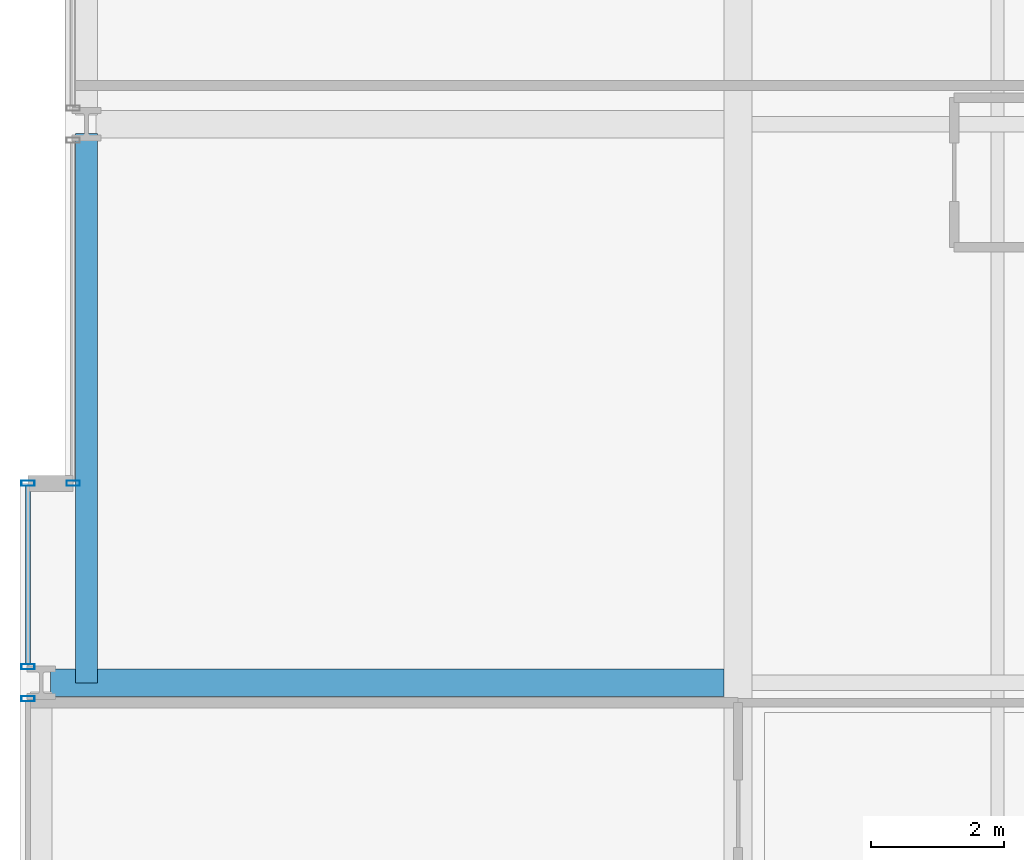
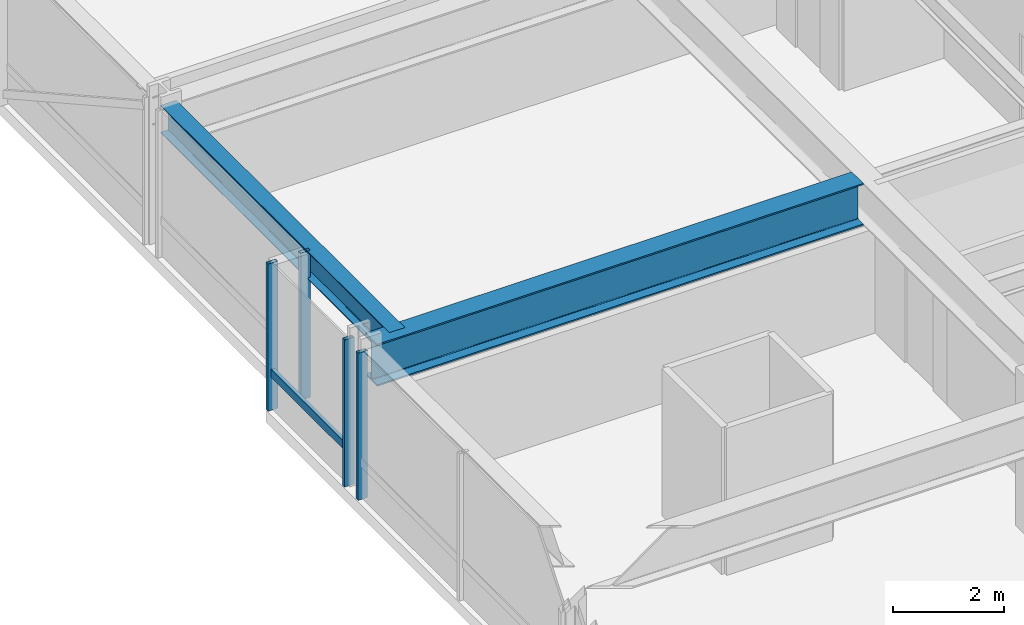
# One storey, part 7 of 38: 5 members, 2 beams, 3 elements without a shape of their own.
"""IFC4 building model written with IfcOpenShell, lengths in metres."""

from ifc_helpers import new_model, si_unit, direction, frame, origin, origin_2d, place, context, subcontext, project, spatial, hollow_rectangle, i_section, extrude, material, layer, layer_set, material_profile, profile_set, type_object, element, aggregate, save


model = new_model("IFC4")

# Units and contexts
model_context = context("Model", 3, precision=1e-05, world=origin(), true_north=direction((0.0, 1.0)))
body_context = subcontext(model_context, "Body", "Model", "MODEL_VIEW")
ifc_project = project(units=[si_unit("LENGTHUNIT", "METRE"), si_unit("AREAUNIT", "SQUARE_METRE"), si_unit("VOLUMEUNIT", "CUBIC_METRE"), si_unit("PLANEANGLEUNIT", "RADIAN"), si_unit("MASSUNIT", "GRAM", prefix="KILO")], contexts=[model_context])

# Site, building, storey
site_placement = place(None, origin())
site = spatial("IfcSite", under=ifc_project, at=site_placement, CompositionType="ELEMENT")
building_placement = place(site_placement, origin())
building = spatial("IfcBuilding", under=site, at=building_placement, Name="Drelvath Grand Hotel", CompositionType="ELEMENT")
storey_placement = place(building_placement, frame((0.0, 0.0, 50.699951171875)))
storey = spatial("IfcBuildingStorey", under=building, at=storey_placement, Name="L11", CompositionType="ELEMENT", Elevation=50.699951171875)

# Curtain wall, member
ifc_material_1 = material(Name="Warm Bronze Anodised Aluminium Frame", Category="aluminium")
ifc_layer = layer(ifc_material_1, 0.199951171875)
ifc_layer_set = layer_set([ifc_layer], Name="Warm Bronze Anodised Aluminium Frame")
curtain_wall_type = type_object("IfcCurtainWallType", Name="Stick Curtain Wall CW-02 Warm Bronze Low-Rise", PredefinedType="NOTDEFINED", material=ifc_layer_set)
curtain_wall_1_placement = place(storey_placement, origin())
curtain_wall_1 = element("IfcCurtainWall", 1, at=curtain_wall_1_placement, inside=storey, type_object=curtain_wall_type, Name="L11 CW-02 Curtain Wall CW02-L11-WS3", PredefinedType="NOTDEFINED")
ifc_material_profile_1 = material_profile(ifc_material_1, hollow_rectangle(XDim=0.074951171875, YDim=0.179931640625, WallThickness=0.0048828125, at=origin_2d()), Name="HSS180X75X5")
ifc_profile_set_1 = profile_set([ifc_material_profile_1], Name="Warm Bronze Anodised Aluminium Frame")
member_type_1 = type_object("IfcMemberType", Name="Curtain Wall Horizontal Transom CW-02 HSS180X75X5", PredefinedType="USERDEFINED", material=ifc_profile_set_1)
member_1_placement = place(storey_placement, frame((-26.8798828125, 18.880859375, 0.81005859375), z_axis=(0.0, 1.0, 0.0), x_axis=(-1.0, 0.0, 0.0)))
member_1 = element("IfcMember", 2, at=member_1_placement, type_object=member_type_1, Name="CW02-L11-WS3 Sill Transom", ObjectType="TRANSOM", PredefinedType="USERDEFINED", context=body_context, shape_type="SweptSolid", body=[
    extrude(hollow_rectangle(XDim=0.074951171875, YDim=0.179931640625, WallThickness=0.0048828125, at=origin_2d()), origin(), (0.0, 0.0, 1.0), 2.67919921875),
])

curtain_wall_2_placement = place(storey_placement, origin())
curtain_wall_2 = element("IfcCurtainWall", 3, at=curtain_wall_2_placement, inside=storey, type_object=curtain_wall_type, Name="L11 CW-02 Curtain Wall CW02-L11-WS2", PredefinedType="NOTDEFINED")
ifc_material_profile_2 = material_profile(ifc_material_1, hollow_rectangle(XDim=0.080078125, YDim=0.199951171875, WallThickness=0.0048828125, at=origin_2d()), Name="HSS200X80X5")
ifc_profile_set_2 = profile_set([ifc_material_profile_2], Name="Warm Bronze Anodised Aluminium Frame")
member_type_2 = type_object("IfcMemberType", Name="Curtain Wall Vertical Mullion CW-02 HSS200X80X5", PredefinedType="MULLION", material=ifc_profile_set_2)
member_2_placement = place(storey_placement, frame((-26.8798828125, 18.359130859375, 0.0), z_axis=(0.0, 0.0, 1.0), x_axis=(0.0, 1.0, 0.0)))
member_2 = element("IfcMember", 4, at=member_2_placement, type_object=member_type_2, Name="CW02-L11-WS2 Mullion 3", PredefinedType="MULLION", context=body_context, shape_type="SweptSolid", body=[
    extrude(hollow_rectangle(XDim=0.080078125, YDim=0.199951171875, WallThickness=0.0048828125, at=origin_2d()), origin(), (0.0, 0.0, 1.0), 3.239990234375),
])
aggregate(curtain_wall_2, [member_2])

# Member
member_3_placement = place(storey_placement, frame((-26.8798828125, 18.8408203125, 0.0), z_axis=(0.0, 0.0, 1.0), x_axis=(0.0, 1.0, 0.0)))
member_3 = element("IfcMember", 5, at=member_3_placement, type_object=member_type_2, Name="CW02-L11-WS3 Mullion 1", PredefinedType="MULLION", context=body_context, shape_type="SweptSolid", body=[
    extrude(hollow_rectangle(XDim=0.080078125, YDim=0.199951171875, WallThickness=0.0048828125, at=origin_2d()), origin(), (0.0, 0.0, 1.0), 3.239990234375),
])

member_4_placement = place(storey_placement, frame((-26.8798828125, 21.60009765625, 0.0), z_axis=(0.0, 0.0, 1.0), x_axis=(0.0, 1.0, 0.0)))
member_4 = element("IfcMember", 6, at=member_4_placement, type_object=member_type_2, Name="CW02-L11-WS3 Mullion 2", PredefinedType="MULLION", context=body_context, shape_type="SweptSolid", body=[
    extrude(hollow_rectangle(XDim=0.080078125, YDim=0.199951171875, WallThickness=0.0048828125, at=origin_2d()), origin(), (0.0, 0.0, 1.0), 3.239990234375),
])

aggregate(curtain_wall_1, [member_3, member_4, member_1])

# Curtain wall, member
curtain_wall_3_placement = place(storey_placement, origin())
curtain_wall_3 = element("IfcCurtainWall", 7, at=curtain_wall_3_placement, inside=storey, type_object=curtain_wall_type, Name="L11 CW-02 Curtain Wall CW02-L11-WM1", PredefinedType="NOTDEFINED")
member_5_placement = place(storey_placement, frame((-26.199951171875, 21.60009765625, 0.0), z_axis=(0.0, 0.0, 1.0), x_axis=(0.0, 1.0, 0.0)))
member_5 = element("IfcMember", 8, at=member_5_placement, type_object=member_type_2, Name="CW02-L11-WM1 Mullion 1", PredefinedType="MULLION", context=body_context, shape_type="SweptSolid", body=[
    extrude(hollow_rectangle(XDim=0.080078125, YDim=0.199951171875, WallThickness=0.0048828125, at=origin_2d()), origin(), (0.0, 0.0, 1.0), 3.239990234375),
])
aggregate(curtain_wall_3, [member_5])

# Beams
ifc_material_2 = material(Name="Steel ASTM A992 Gr 50", Category="steel")
ifc_material_profile_3 = material_profile(ifc_material_2, i_section(OverallWidth=0.323974609375, OverallDepth=0.611083984375, WebThickness=0.0126953125, FlangeThickness=0.01904296875, FilletRadius=0.02197265625, at=origin_2d()), Name="W24X104")
ifc_profile_set_3 = profile_set([ifc_material_profile_3], Name="Steel ASTM A992 Gr 50")
beam_type_1 = type_object("IfcBeamType", Name="Perimeter Spandrel Beam W24X104", PredefinedType="SPANDREL", material=ifc_profile_set_3)
beam_1_placement = place(storey_placement, frame((-26.0, 18.60009765625, 2.9345703125), z_axis=(0.0, 1.0, 0.0), x_axis=(-1.0, 0.0, 0.0)))
element("IfcBeam", 9, at=beam_1_placement, inside=storey, type_object=beam_type_1, Name="L11 Spandrel West Mid S", PredefinedType="SPANDREL", context=body_context, shape_type="SweptSolid", body=[
    extrude(i_section(OverallWidth=0.323974609375, OverallDepth=0.611083984375, WebThickness=0.0126953125, FlangeThickness=0.01904296875, FilletRadius=0.02197265625, at=origin_2d()), origin(), (0.0, 0.0, 1.0), 8.260009765625),
])
ifc_material_profile_4 = material_profile(ifc_material_2, i_section(OverallWidth=0.418212890625, OverallDepth=0.926513671875, WebThickness=0.019287109375, FlangeThickness=0.031982421875, FilletRadius=0.028076171875, at=origin_2d()), Name="W36X231")
ifc_profile_set_4 = profile_set([ifc_material_profile_4], Name="Steel ASTM A992 Gr 50")
beam_type_2 = type_object("IfcBeamType", Name="Primary Floor Girder W36X231", PredefinedType="BEAM", material=ifc_profile_set_4)
beam_2_placement = place(storey_placement, frame((-26.5400390625, 18.60009765625, 2.77685546875), z_axis=(1.0, 0.0, 0.0), x_axis=(0.0, 1.0, 0.0)))
element("IfcBeam", 10, at=beam_2_placement, inside=storey, type_object=beam_type_2, Name="L11 West Wing Girder D", PredefinedType="BEAM", context=body_context, shape_type="SweptSolid", body=[
    extrude(i_section(OverallWidth=0.418212890625, OverallDepth=0.926513671875, WebThickness=0.019287109375, FlangeThickness=0.031982421875, FilletRadius=0.028076171875, at=origin_2d()), origin(), (0.0, 0.0, 1.0), 10.130859375),
])

save(model, "model.ifc")
